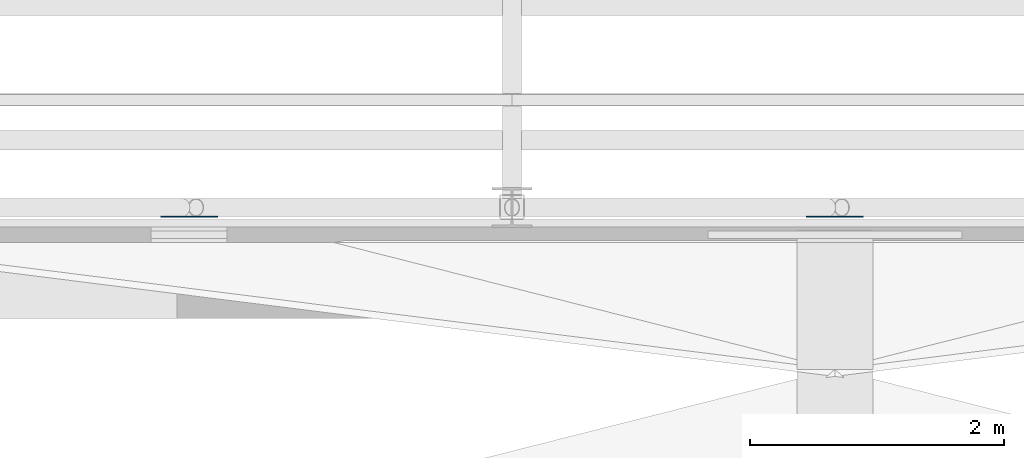
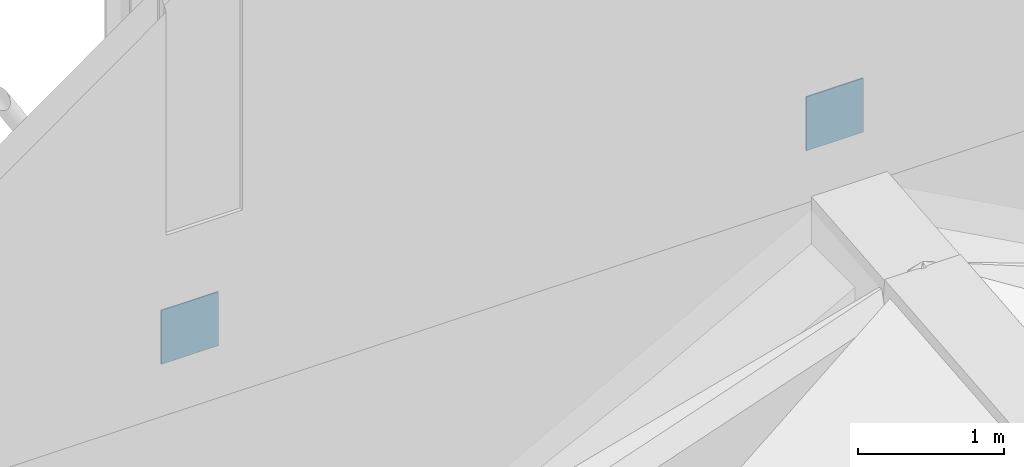
# One storey, part 8 of 22: 2 plates.
"""IFC4 building model written with IfcOpenShell, lengths in metres."""

from ifc_helpers import new_model, si_unit, direction, frame, origin, origin_2d, place, context, subcontext, project, spatial, rectangle, extrude, material, layer, layer_set, type_object, element, save


model = new_model("IFC4")

# Units and contexts
model_context = context("Model", 3, precision=1e-05, world=origin(), true_north=direction((0.0, 1.0)))
body_context = subcontext(model_context, "Body", "Model", "MODEL_VIEW")
ifc_project = project(units=[si_unit("LENGTHUNIT", "METRE"), si_unit("AREAUNIT", "SQUARE_METRE"), si_unit("VOLUMEUNIT", "CUBIC_METRE"), si_unit("PLANEANGLEUNIT", "RADIAN"), si_unit("MASSUNIT", "GRAM", prefix="KILO")], contexts=[model_context])

# Site, building, storey
site_placement = place(None, origin())
site = spatial("IfcSite", under=ifc_project, at=site_placement, CompositionType="ELEMENT")
building_placement = place(site_placement, origin())
building = spatial("IfcBuilding", under=site, at=building_placement, Name="Tide Square Theatres", CompositionType="ELEMENT")
storey_placement = place(building_placement, frame((0.0, 0.0, 24.0)))
storey = spatial("IfcBuildingStorey", under=building, at=storey_placement, Name="L05", CompositionType="ELEMENT", Elevation=24.0)

# Plates
ifc_material = material(Name="Steel ASTM A572 Grade 50", Category="steel")
ifc_layer = layer(ifc_material, 0.010009765625)
ifc_layer_set = layer_set([ifc_layer], Name="Steel ASTM A572 Grade 50")
plate_type = type_object("IfcPlateType", Name="Steel end plate 10 thick", PredefinedType="USERDEFINED", material=ifc_layer_set)
for number, where, z_axis, x_axis, name in (
    (1, (78.910400390625, 56.202392578125, 4.27490234375), (0.0, 0.0, 1.0), (0.0, -1.0, 0.0), "Fly tower brace crossing node plate"),
    (2, (84.0, 56.202392578125, 4.27490234375), (0.0, 0.0, 1.0), (0.0, -1.0, 0.0), "Fly tower brace crossing node plate"),
):
    element("IfcPlate", number, at=place(storey_placement, frame(where, z_axis=z_axis, x_axis=x_axis)), inside=storey, type_object=plate_type, Name=name, ObjectType="END PLATE", PredefinedType="USERDEFINED", context=body_context, shape_type="SweptSolid", body=[
        extrude(rectangle(XDim=0.010009765625, YDim=0.449951171875, at=origin_2d()), origin(), (0.0, 0.0, 1.0), 0.449951171875),
    ])

save(model, "model.ifc")
